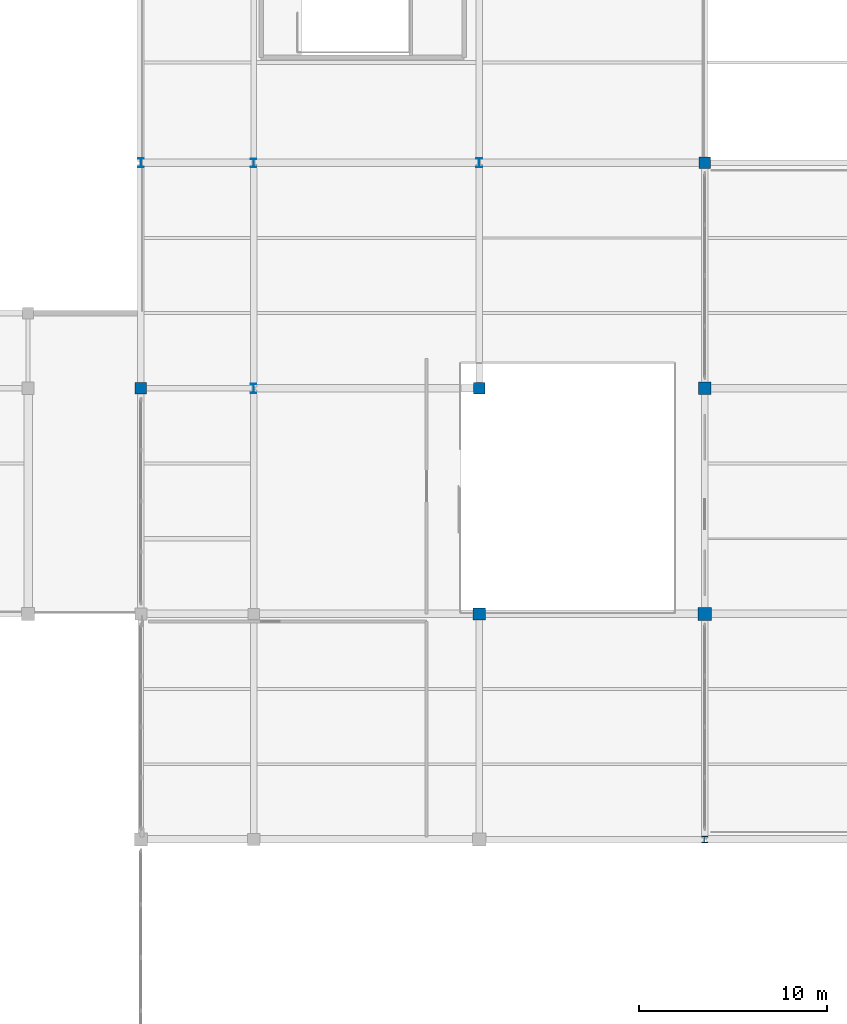
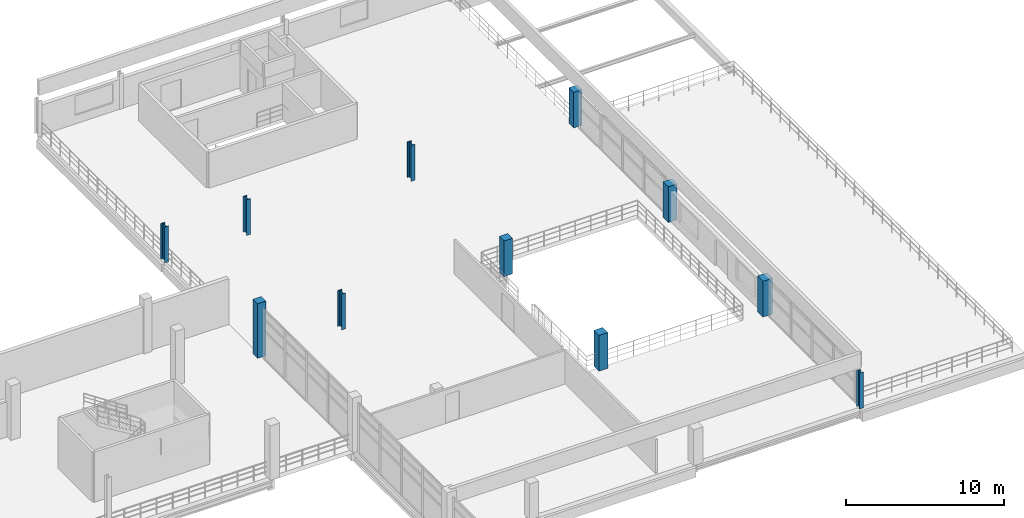
# One storey, part 19 of 89: 11 columns.
"""IFC4 building model written with IfcOpenShell, lengths in metres."""

from ifc_helpers import new_model, si_unit, direction, frame, origin, origin_2d, place, context, subcontext, project, spatial, rectangle, i_section, extrude, material, material_profile, profile_set, type_object, element, save


model = new_model("IFC4")

# Units and contexts
model_context = context("Model", 3, precision=1e-05, world=origin(), true_north=direction((0.0, 1.0)))
body_context = subcontext(model_context, "Body", "Model", "MODEL_VIEW")
ifc_project = project(units=[si_unit("LENGTHUNIT", "METRE"), si_unit("AREAUNIT", "SQUARE_METRE"), si_unit("VOLUMEUNIT", "CUBIC_METRE"), si_unit("PLANEANGLEUNIT", "RADIAN"), si_unit("MASSUNIT", "GRAM", prefix="KILO"), si_unit("THERMODYNAMICTEMPERATUREUNIT", "KELVIN"), si_unit("POWERUNIT", "WATT")], contexts=[model_context])

# Site, building, storey
site_placement = place(None, origin())
site = spatial("IfcSite", under=ifc_project, at=site_placement, CompositionType="ELEMENT")
building_placement = place(site_placement, origin())
building = spatial("IfcBuilding", under=site, at=building_placement, Name="Solmara Park Aquatics Centre", CompositionType="ELEMENT")
storey_placement = place(building_placement, frame((0.0, 0.0, 5.39990234375)))
storey = spatial("IfcBuildingStorey", under=building, at=storey_placement, Name="L01", CompositionType="ELEMENT", Elevation=5.39990234375)

# Columns
ifc_material_1 = material(Name="Structural Steel S355", Category="steel")
ifc_material_profile_1 = material_profile(ifc_material_1, i_section(OverallWidth=0.300048828125, OverallDepth=0.449951171875, WebThickness=0.013916015625, FlangeThickness=0.02587890625, FilletRadius=0.027099609375, at=origin_2d()), Name="HEB 450")
ifc_profile_set_1 = profile_set([ifc_material_profile_1], Name="Structural Steel S355")
column_type_1 = type_object("IfcColumnType", Name="STR-COL-HEB450", PredefinedType="COLUMN", material=ifc_profile_set_1)
column_1_placement = place(storey_placement, frame((168.0, 60.60009765625, 0.0), z_axis=(0.0, 0.0, 1.0), x_axis=(1.0, 0.0, 0.0)))
element("IfcColumn", 1, at=column_1_placement, inside=storey, type_object=column_type_1, Name="Column L01-0449", PredefinedType="COLUMN", context=body_context, shape_type="SweptSolid", body=[
    extrude(i_section(OverallWidth=0.300048828125, OverallDepth=0.449951171875, WebThickness=0.013916015625, FlangeThickness=0.02587890625, FilletRadius=0.027099609375, at=origin_2d()), origin(), (0.0, 0.0, 1.0), 2.760009765625),
])
ifc_material_profile_2 = material_profile(ifc_material_1, i_section(OverallWidth=0.300048828125, OverallDepth=0.5, WebThickness=0.014404296875, FlangeThickness=0.028076171875, FilletRadius=0.027099609375, at=origin_2d()), Name="HEB 500")
ifc_profile_set_2 = profile_set([ifc_material_profile_2], Name="Structural Steel S355")
column_type_2 = type_object("IfcColumnType", Name="STR-COL-HEB500", PredefinedType="COLUMN", material=ifc_profile_set_2)
for number, where, z_axis, x_axis, name in (
    (2, (162.0, 60.60009765625, 0.0), (0.0, 0.0, 1.0), (1.0, 0.0, 0.0), "Column L01-0442"),
    (3, (168.0, 48.60009765625, 0.0), (0.0, 0.0, 1.0), (1.0, 0.0, 0.0), "Column L01-0448"),
    (4, (180.0, 60.60009765625, 0.0), (0.0, 0.0, 1.0), (1.0, 0.0, 0.0), "Column L01-0454"),
):
    element("IfcColumn", number, at=place(storey_placement, frame(where, z_axis=z_axis, x_axis=x_axis)), inside=storey, type_object=column_type_2, Name=name, PredefinedType="COLUMN", context=body_context, shape_type="SweptSolid", body=[
        extrude(i_section(OverallWidth=0.300048828125, OverallDepth=0.5, WebThickness=0.014404296875, FlangeThickness=0.028076171875, FilletRadius=0.027099609375, at=origin_2d()), origin(), (0.0, 0.0, 1.0), 2.760009765625),
    ])
ifc_material_2 = material(Name="Concrete C40/50", Category="concrete")
ifc_material_profile_3 = material_profile(ifc_material_2, rectangle(XDim=0.60009765625, YDim=0.60009765625, at=origin_2d()), Name="RC 600x600")
ifc_profile_set_3 = profile_set([ifc_material_profile_3], Name="Concrete C40/50")
column_type_3 = type_object("IfcColumnType", Name="STR-COL-RC600", PredefinedType="COLUMN", material=ifc_profile_set_3)
column_2_placement = place(storey_placement, frame((162.0, 48.60009765625, 0.0), z_axis=(0.0, 0.0, 1.0), x_axis=(1.0, 0.0, 0.0)))
element("IfcColumn", 5, at=column_2_placement, inside=storey, type_object=column_type_3, Name="Column L01-0441", PredefinedType="COLUMN", context=body_context, shape_type="SweptSolid", body=[
    extrude(rectangle(XDim=0.60009765625, YDim=0.60009765625, at=origin_2d()), origin(), (0.0, 0.0, 1.0), 4.2001953125),
])
for number, where, z_axis, x_axis, name in (
    (6, (180.0, 48.60009765625, 0.0), (0.0, 0.0, 1.0), (1.0, 0.0, 0.0), "Column L01-0453"),
    (7, (192.0, 60.60009765625, 0.0), (0.0, 0.0, 1.0), (1.0, 0.0, 0.0), "Column L01-0459"),
):
    element("IfcColumn", number, at=place(storey_placement, frame(where, z_axis=z_axis, x_axis=x_axis)), inside=storey, type_object=column_type_3, Name=name, PredefinedType="COLUMN", context=body_context, shape_type="SweptSolid", body=[
        extrude(rectangle(XDim=0.60009765625, YDim=0.60009765625, at=origin_2d()), origin(), (0.0, 0.0, 1.0), 2.760009765625),
    ])
ifc_material_profile_4 = material_profile(ifc_material_2, rectangle(XDim=0.64990234375, YDim=0.64990234375, at=origin_2d()), Name="RC 650x650")
ifc_profile_set_4 = profile_set([ifc_material_profile_4], Name="Concrete C40/50")
column_type_4 = type_object("IfcColumnType", Name="STR-COL-RC650", PredefinedType="COLUMN", material=ifc_profile_set_4)
for number, where, z_axis, x_axis, name in (
    (8, (180.0, 36.60009765625, 0.0), (0.0, 0.0, 1.0), (1.0, 0.0, 0.0), "Column L01-0452"),
    (9, (192.0, 48.60009765625, 0.0), (0.0, 0.0, 1.0), (1.0, 0.0, 0.0), "Column L01-0458"),
):
    element("IfcColumn", number, at=place(storey_placement, frame(where, z_axis=z_axis, x_axis=x_axis)), inside=storey, type_object=column_type_4, Name=name, PredefinedType="COLUMN", context=body_context, shape_type="SweptSolid", body=[
        extrude(rectangle(XDim=0.64990234375, YDim=0.64990234375, at=origin_2d()), origin(), (0.0, 0.0, 1.0), 2.760009765625),
    ])
ifc_material_profile_5 = material_profile(ifc_material_2, rectangle(XDim=0.699951171875, YDim=0.699951171875, at=origin_2d()), Name="RC 700x700")
ifc_profile_set_5 = profile_set([ifc_material_profile_5], Name="Concrete C40/50")
column_type_5 = type_object("IfcColumnType", Name="STR-COL-RC700", PredefinedType="COLUMN", material=ifc_profile_set_5)
column_3_placement = place(storey_placement, frame((192.0, 36.60009765625, 0.0), z_axis=(0.0, 0.0, 1.0), x_axis=(1.0, 0.0, 0.0)))
element("IfcColumn", 10, at=column_3_placement, inside=storey, type_object=column_type_5, Name="Column L01-0457", PredefinedType="COLUMN", context=body_context, shape_type="SweptSolid", body=[
    extrude(rectangle(XDim=0.699951171875, YDim=0.699951171875, at=origin_2d()), origin(), (0.0, 0.0, 1.0), 2.760009765625),
])
ifc_material_profile_6 = material_profile(ifc_material_1, i_section(OverallWidth=0.300048828125, OverallDepth=0.360107421875, WebThickness=0.012451171875, FlangeThickness=0.0224609375, FilletRadius=0.027099609375, at=origin_2d()), Name="HEB 360")
ifc_profile_set_6 = profile_set([ifc_material_profile_6], Name="Structural Steel S355")
column_type_6 = type_object("IfcColumnType", Name="STR-PIL-HEB360", PredefinedType="PILASTER", material=ifc_profile_set_6)
column_4_placement = place(storey_placement, frame((192.0, 24.60009765625, 0.0), z_axis=(0.0, 0.0, 1.0), x_axis=(1.0, 0.0, 0.0)))
element("IfcColumn", 11, at=column_4_placement, inside=storey, type_object=column_type_6, Name="Column L01-0456", PredefinedType="PILASTER", context=body_context, shape_type="SweptSolid", body=[
    extrude(i_section(OverallWidth=0.300048828125, OverallDepth=0.360107421875, WebThickness=0.012451171875, FlangeThickness=0.0224609375, FilletRadius=0.027099609375, at=origin_2d()), origin(), (0.0, 0.0, 1.0), 2.760009765625),
])

save(model, "model.ifc")
